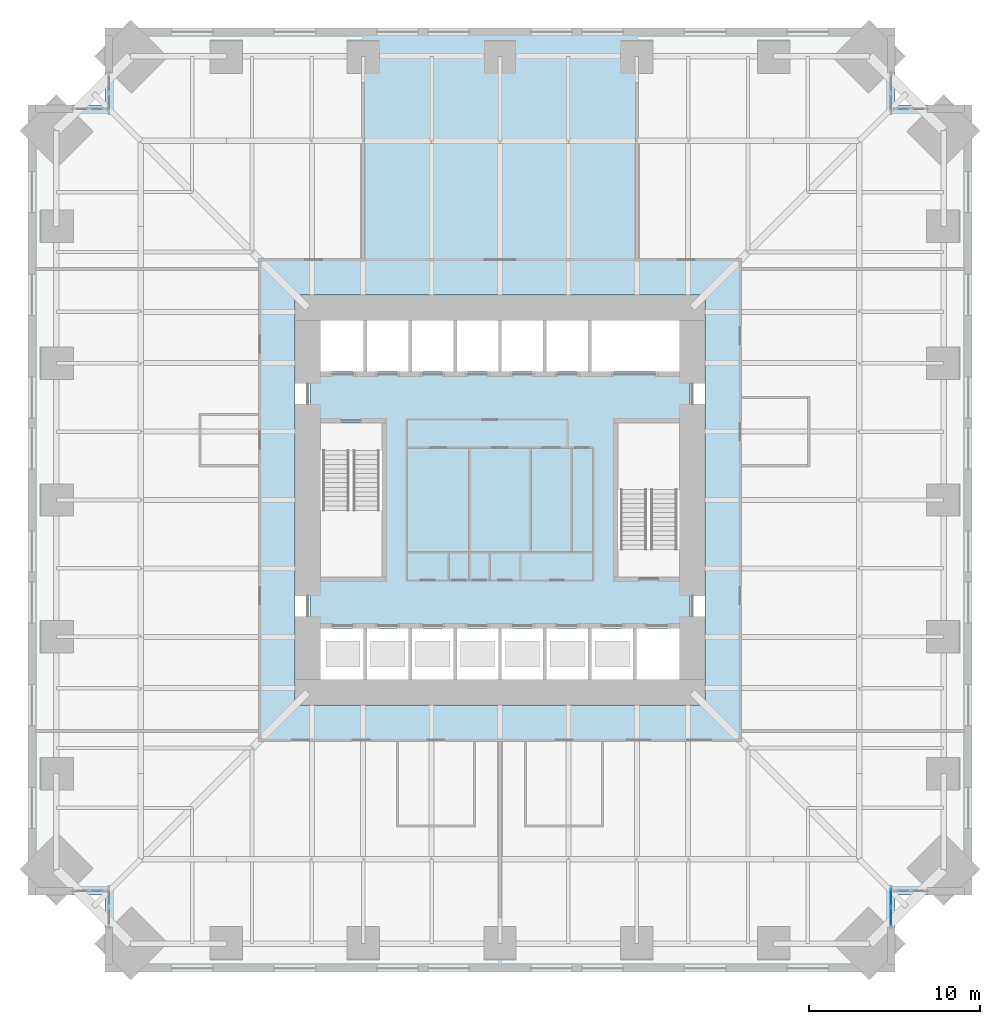
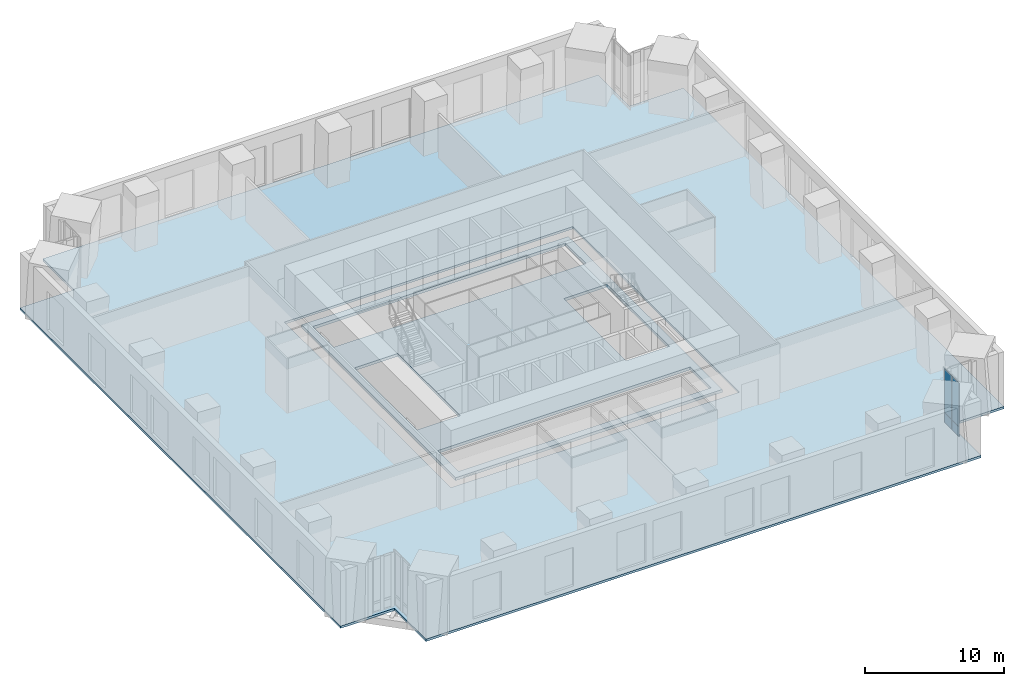
# One storey, part 10 of 18: 4 plates, 2 slabs, 1 element without a shape of its own.
"""IFC4 building model written with IfcOpenShell, lengths in metres."""

from ifc_helpers import new_model, si_unit, direction, frame, origin, origin_2d, place, context, subcontext, project, spatial, polyline, rectangle, outline, extrude, material, layer, layer_set, type_object, element, aggregate, save


model = new_model("IFC4")

# Units and contexts
model_context = context("Model", 3, precision=1e-05, world=origin(), true_north=direction((0.0, 1.0)))
body_context = subcontext(model_context, "Body", "Model", "MODEL_VIEW")
ifc_project = project(units=[si_unit("LENGTHUNIT", "METRE"), si_unit("AREAUNIT", "SQUARE_METRE"), si_unit("VOLUMEUNIT", "CUBIC_METRE"), si_unit("PLANEANGLEUNIT", "RADIAN"), si_unit("MASSUNIT", "GRAM", prefix="KILO")], contexts=[model_context])

# Site, building, storey
site_placement = place(None, origin())
site = spatial("IfcSite", under=ifc_project, at=site_placement, CompositionType="ELEMENT")
building_placement = place(site_placement, origin())
building = spatial("IfcBuilding", under=site, at=building_placement, Name="Peilmerk Tower", CompositionType="ELEMENT")
storey_placement = place(building_placement, frame((0.0, 0.0, 122.800048828125)))
storey = spatial("IfcBuildingStorey", under=building, at=storey_placement, Name="L24", CompositionType="ELEMENT", Elevation=122.800048828125)

# Slab
ifc_material_1 = material(Name="Concrete C55/67", Category="concrete")
ifc_layer_1 = layer(ifc_material_1, 0.25)
ifc_layer_set_1 = layer_set([ifc_layer_1], Name="Concrete C55/67")
slab_type_1 = type_object("IfcSlabType", Name="CS250 250 core floor slab", PredefinedType="FLOOR", material=ifc_layer_set_1)
slab_1_placement = place(storey_placement, frame((0.0, 0.0, -0.25)))
element("IfcSlab", 1, at=slab_1_placement, inside=storey, type_object=slab_type_1, Name="Core slab L24", PredefinedType="FLOOR", context=body_context, shape_type="SweptSolid", body=[
    extrude(outline(polyline([(-11.10009765625, -11.10009765625), (11.10009765625, -11.10009765625), (11.10009765625, 11.10009765625), (-11.10009765625, 11.10009765625), (-11.10009765625, -11.10009765625)]), holes=[polyline([(10.5, 10.5), (10.5, 7.5), (-10.5, 7.5), (-10.5, 10.5), (10.5, 10.5)]), polyline([(-10.5, -10.5), (-10.5, -7.5), (10.5, -7.5), (10.5, -10.5), (-10.5, -10.5)]), polyline([(-10.5, 4.5), (-6.89990234375, 4.5), (-6.89990234375, -4.5), (-10.5, -4.5), (-10.5, 4.5)]), polyline([(10.5, 4.5), (10.5, -4.5), (6.89990234375, -4.5), (6.89990234375, 4.5), (10.5, 4.5)])]), origin(), (0.0, 0.0, 1.0), 0.25),
])

# Curtain wall, plates
ifc_material_2 = material(Name="Aluminium stick curtain wall", Category="aluminium")
curtain_wall_type = type_object("IfcCurtainWallType", Name="CW2 stick curtain wall, 2250 module", PredefinedType="NOTDEFINED", material=ifc_material_2)
curtain_wall_placement = place(storey_placement, origin())
curtain_wall = element("IfcCurtainWall", 2, at=curtain_wall_placement, inside=storey, type_object=curtain_wall_type, Name="Curtain wall CW2 SEA L24", PredefinedType="NOTDEFINED")
ifc_material_3 = material(Name="Clear insulated glazing unit", Category="glass")
ifc_layer_2 = layer(ifc_material_3, 0.028076171875)
ifc_layer_set_2 = layer_set([ifc_layer_2], Name="Clear insulated glazing unit")
plate_type = type_object("IfcPlateType", Name="CW2-P 28 glazed panel", PredefinedType="CURTAIN_PANEL", material=ifc_layer_set_2)
plate_1_placement = place(storey_placement, frame((22.875, -23.2421875, 0.06494140625), z_axis=(0.0, 0.0, 1.0), x_axis=(0.0, -1.0, 0.0)))
plate_1 = element("IfcPlate", 3, at=plate_1_placement, type_object=plate_type, Name="CW2 panel 1.1", PredefinedType="CURTAIN_PANEL", context=body_context, shape_type="SweptSolid", body=[
    extrude(rectangle(XDim=1.0244140625, YDim=0.028076171875, at=origin_2d()), origin(), (0.0, 0.0, 1.0), 0.802490234375),
])
plate_2_placement = place(storey_placement, frame((22.875, -23.2421875, 0.932373046875), z_axis=(0.0, 0.0, 1.0), x_axis=(0.0, -1.0, 0.0)))
plate_2 = element("IfcPlate", 4, at=plate_2_placement, type_object=plate_type, Name="CW2 panel 1.2", PredefinedType="CURTAIN_PANEL", context=body_context, shape_type="SweptSolid", body=[
    extrude(rectangle(XDim=1.0244140625, YDim=0.028076171875, at=origin_2d()), origin(), (0.0, 0.0, 1.0), 3.83251953125),
])
plate_3_placement = place(storey_placement, frame((22.875, -24.346435546875, 0.06494140625), z_axis=(0.0, 0.0, 1.0), x_axis=(0.0, -1.0, 0.0)))
plate_3 = element("IfcPlate", 5, at=plate_3_placement, type_object=plate_type, Name="CW2 panel 2.1", PredefinedType="CURTAIN_PANEL", context=body_context, shape_type="SweptSolid", body=[
    extrude(rectangle(XDim=1.0244140625, YDim=0.028076171875, at=origin_2d()), origin(), (0.0, 0.0, 1.0), 0.802490234375),
])
plate_4_placement = place(storey_placement, frame((22.875, -24.346435546875, 0.932373046875), z_axis=(0.0, 0.0, 1.0), x_axis=(0.0, -1.0, 0.0)))
plate_4 = element("IfcPlate", 6, at=plate_4_placement, type_object=plate_type, Name="CW2 panel 2.2", PredefinedType="CURTAIN_PANEL", context=body_context, shape_type="SweptSolid", body=[
    extrude(rectangle(XDim=1.0244140625, YDim=0.028076171875, at=origin_2d()), origin(), (0.0, 0.0, 1.0), 3.83251953125),
])
aggregate(curtain_wall, [plate_1, plate_2, plate_3, plate_4])

# Slab
ifc_material_4 = material(Name="Concrete C35/45", Category="concrete")
ifc_layer_3 = layer(ifc_material_4, 0.199951171875)
ifc_layer_set_3 = layer_set([ifc_layer_3], Name="Concrete C35/45")
slab_type_2 = type_object("IfcSlabType", Name="FS200 200 composite floor slab", PredefinedType="FLOOR", material=ifc_layer_set_3)
slab_2_placement = place(storey_placement, frame((0.0, 0.0, -0.199951171875)))
element("IfcSlab", 7, at=slab_2_placement, inside=storey, type_object=slab_type_2, Name="Floor slab L24", PredefinedType="FLOOR", context=body_context, shape_type="SweptSolid", body=[
    extrude(outline(polyline([(-23.10009765625, -27.60009765625), (23.10009765625, -27.60009765625), (23.10009765625, -23.10009765625), (27.60009765625, -23.10009765625), (27.60009765625, 23.10009765625), (23.10009765625, 23.10009765625), (23.10009765625, 27.60009765625), (-23.10009765625, 27.60009765625), (-23.10009765625, 23.10009765625), (-27.60009765625, 23.10009765625), (-27.60009765625, -23.10009765625), (-23.10009765625, -23.10009765625), (-23.10009765625, -27.60009765625)]), holes=[polyline([(12.0, 12.0), (12.0, -12.0), (-12.0, -12.0), (-12.0, 12.0), (12.0, 12.0)])]), origin(), (0.0, 0.0, 1.0), 0.199951171875),
])

save(model, "model.ifc")
